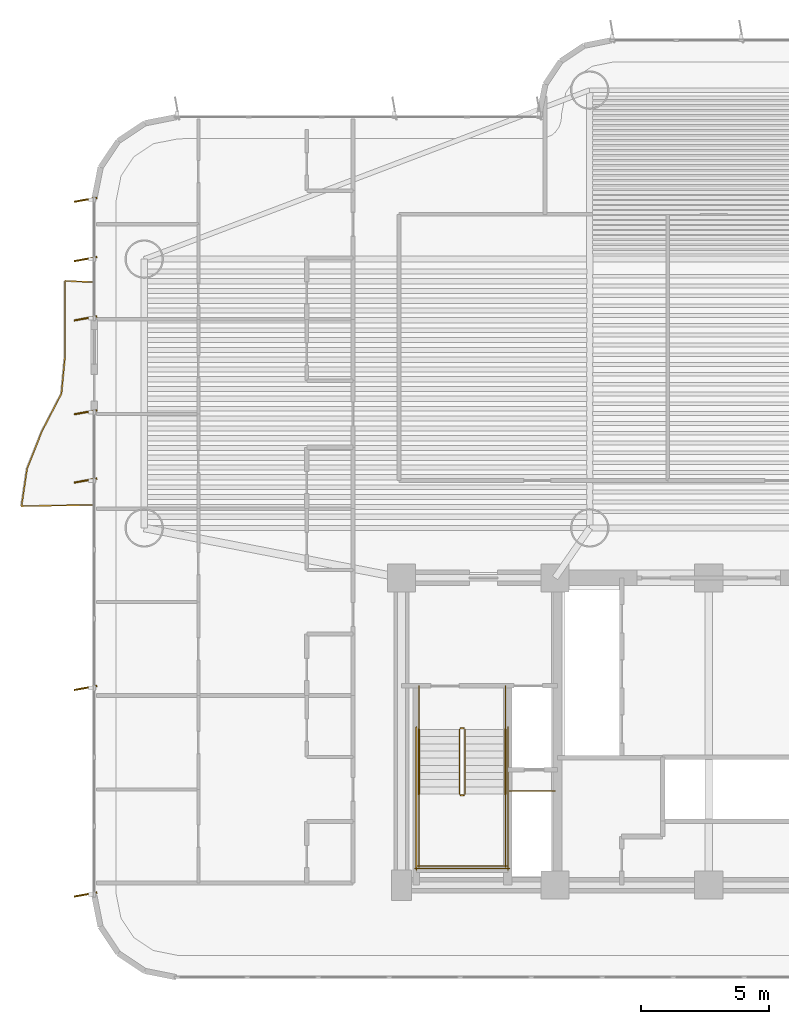
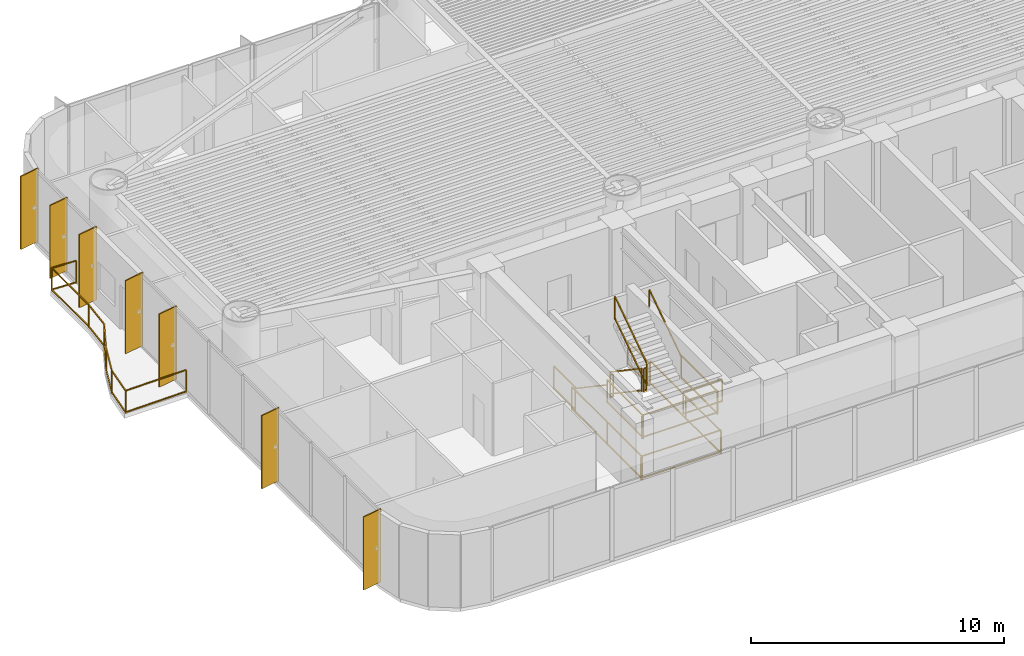
# One storey, part 16 of 19: 16 railings, 7 shading devices.
"""IFC4 building model written with IfcOpenShell, lengths in metres."""

from ifc_helpers import new_model, si_unit, direction, frame, origin, origin_2d, place, context, subcontext, project, spatial, rectangle, extrude, source, transform, mapped, material, layer, layer_set, material_profile, profile_set, type_object, element, save


model = new_model("IFC4")

# Units and contexts
model_context = context("Model", 3, precision=1e-05, world=origin(), true_north=direction((0.0, 1.0)))
body_context = subcontext(model_context, "Body", "Model", "MODEL_VIEW")
ifc_project = project(units=[si_unit("LENGTHUNIT", "METRE"), si_unit("AREAUNIT", "SQUARE_METRE"), si_unit("VOLUMEUNIT", "CUBIC_METRE"), si_unit("PLANEANGLEUNIT", "RADIAN"), si_unit("MASSUNIT", "GRAM", prefix="KILO")], contexts=[model_context])

# Site, building, storey
site_placement = place(None, origin())
site = spatial("IfcSite", under=ifc_project, at=site_placement, CompositionType="ELEMENT")
building_placement = place(site_placement, origin())
building = spatial("IfcBuilding", under=site, at=building_placement, Name="Brelvock Crest Care Tower", CompositionType="ELEMENT")
storey_placement = place(building_placement, frame((0.0, 0.0, 30.780029296875)))
storey = spatial("IfcBuildingStorey", under=building, at=storey_placement, Name="L07", CompositionType="ELEMENT", Elevation=30.780029296875)

# Railings
ifc_material_1 = material(Name="Dark Glass Double Glazed Low-E", Category="glass")
ifc_layer_1 = layer(ifc_material_1, 0.06005859375, Name="RL-BAL1")
ifc_layer_set_1 = layer_set([ifc_layer_1], Name="Dark Glass Double Glazed Low-E")
railing_type_1 = type_object("IfcRailingType", Name="RL-BAL1", PredefinedType="BALUSTRADE", material=ifc_layer_set_1)
railing_1_placement = place(storey_placement, frame((11.9599609375, 20.85009765625, 0.00390625)))
element("IfcRailing", 1, at=railing_1_placement, inside=storey, type_object=railing_type_1, Name="L07 Safety Balustrade WB-W", PredefinedType="BALUSTRADE", context=body_context, shape_type="SweptSolid", body=[
    extrude(rectangle(XDim=0.048095703125, YDim=0.048095703125, at=origin_2d()), frame((-0.001953125, 0.0, 1.09619140625), z_axis=(-0.999840293507, -0.017871415134, 0.0), x_axis=(0.017871415134, -0.999840293507, 0.0)), (0.0, 0.0, 1.0), 2.79638671875),
    extrude(rectangle(XDim=0.048095703125, YDim=0.048095703125, at=origin_2d()), frame((-0.001953125, 0.0, 0.054931640625), z_axis=(-0.999840293507, -0.017871415134, 0.0), x_axis=(0.017871415134, -0.999840293507, 0.0)), (0.0, 0.0, 1.0), 2.79638671875),
    extrude(rectangle(XDim=0.048095703125, YDim=0.048095703125, at=origin_2d()), frame((-2.7998046875, -0.048095703125, 1.09619140625), z_axis=(0.146882849114, 0.989153895325, 0.0), x_axis=(-0.989153895325, 0.146882849114, 0.0)), (0.0, 0.0, 1.0), 1.478515625),
    extrude(rectangle(XDim=0.048095703125, YDim=0.048095703125, at=origin_2d()), frame((-2.7998046875, -0.048095703125, 0.054931640625), z_axis=(0.146882849114, 0.989153895325, 0.0), x_axis=(-0.989153895325, 0.146882849114, 0.0)), (0.0, 0.0, 1.0), 1.478515625),
    extrude(rectangle(XDim=0.048095703125, YDim=0.048095703125, at=origin_2d()), frame((-2.58154296875, 1.41845703125, 1.09619140625), z_axis=(0.369496581543, 0.929232089539, 0.0), x_axis=(-0.929232089539, 0.369496581543, 0.0)), (0.0, 0.0, 1.0), 1.574462890625),
    extrude(rectangle(XDim=0.048095703125, YDim=0.048095703125, at=origin_2d()), frame((-2.58154296875, 1.41845703125, 0.054931640625), z_axis=(0.369496581543, 0.929232089539, 0.0), x_axis=(-0.929232089539, 0.369496581543, 0.0)), (0.0, 0.0, 1.0), 1.574462890625),
    extrude(rectangle(XDim=0.048095703125, YDim=0.048095703125, at=origin_2d()), frame((-1.998046875, 2.885009765625, 1.09619140625), z_axis=(0.460230882472, 0.887799264935, 0.0), x_axis=(-0.887799264935, 0.460230882472, 0.0)), (0.0, 0.0, 1.0), 1.64794921875),
    extrude(rectangle(XDim=0.048095703125, YDim=0.048095703125, at=origin_2d()), frame((-1.998046875, 2.885009765625, 0.054931640625), z_axis=(0.460230882472, 0.887799264935, 0.0), x_axis=(-0.887799264935, 0.460230882472, 0.0)), (0.0, 0.0, 1.0), 1.64794921875),
    extrude(rectangle(XDim=0.048095703125, YDim=0.048095703125, at=origin_2d()), frame((-1.238525390625, 4.351806640625, 1.09619140625), z_axis=(0.094285159279, 0.99554523189, 0.0), x_axis=(-0.99554523189, 0.094285159279, 0.0)), (0.0, 0.0, 1.0), 1.469482421875),
    extrude(rectangle(XDim=0.048095703125, YDim=0.048095703125, at=origin_2d()), frame((-1.238525390625, 4.351806640625, 0.054931640625), z_axis=(0.094285159279, 0.99554523189, 0.0), x_axis=(-0.99554523189, 0.094285159279, 0.0)), (0.0, 0.0, 1.0), 1.469482421875),
    extrude(rectangle(XDim=0.048095703125, YDim=0.048095703125, at=origin_2d()), frame((-1.099853515625, 5.818603515625, 1.09619140625), z_axis=(0.0, 1.0, 0.0), x_axis=(-1.0, 0.0, 0.0)), (0.0, 0.0, 1.0), 2.929443359375),
    extrude(rectangle(XDim=0.048095703125, YDim=0.048095703125, at=origin_2d()), frame((-1.099853515625, 5.818603515625, 0.054931640625), z_axis=(0.0, 1.0, 0.0), x_axis=(-1.0, 0.0, 0.0)), (0.0, 0.0, 1.0), 2.929443359375),
    extrude(rectangle(XDim=0.048095703125, YDim=0.048095703125, at=origin_2d()), frame((-1.097900390625, 8.75, 1.09619140625), z_axis=(0.998966252902, -0.045457953795, 0.0), x_axis=(0.045457953795, 0.998966252902, 0.0)), (0.0, 0.0, 1.0), 1.096923828125),
    extrude(rectangle(XDim=0.048095703125, YDim=0.048095703125, at=origin_2d()), frame((-1.097900390625, 8.75, 0.054931640625), z_axis=(0.998966252902, -0.045457953795, 0.0), x_axis=(0.045457953795, 0.998966252902, 0.0)), (0.0, 0.0, 1.0), 1.096923828125),
    extrude(rectangle(XDim=0.0419921875, YDim=0.0419921875, at=origin_2d()), origin(), (0.0, 0.0, 1.0), 1.070068359375),
    extrude(rectangle(XDim=0.0419921875, YDim=0.0419921875, at=origin_2d()), frame((-2.800048828125, -0.050048828125, 0.0)), (0.0, 0.0, 1.0), 1.070068359375),
    extrude(rectangle(XDim=0.0419921875, YDim=0.0419921875, at=origin_2d()), frame((-2.582275390625, 1.41650390625, 0.0)), (0.0, 0.0, 1.0), 1.070068359375),
    extrude(rectangle(XDim=0.0419921875, YDim=0.0419921875, at=origin_2d()), frame((-1.9990234375, 2.88330078125, 0.0)), (0.0, 0.0, 1.0), 1.070068359375),
    extrude(rectangle(XDim=0.0419921875, YDim=0.0419921875, at=origin_2d()), frame((-1.23876953125, 4.349853515625, 0.0)), (0.0, 0.0, 1.0), 1.070068359375),
    extrude(rectangle(XDim=0.0419921875, YDim=0.0419921875, at=origin_2d()), frame((-1.099853515625, 5.816650390625, 0.0)), (0.0, 0.0, 1.0), 1.070068359375),
    extrude(rectangle(XDim=0.0419921875, YDim=0.0419921875, at=origin_2d()), frame((-1.099853515625, 8.75, 0.0)), (0.0, 0.0, 1.0), 1.070068359375),
    extrude(rectangle(XDim=0.0419921875, YDim=0.0419921875, at=origin_2d()), frame((0.0, 8.699951171875, 0.0)), (0.0, 0.0, 1.0), 1.070068359375),
])
ifc_material_2 = material(Name="Steel Grade 350", Category="steel")
ifc_layer_2 = layer(ifc_material_2, 0.050048828125, Name="RL-STG1")
ifc_layer_set_2 = layer_set([ifc_layer_2], Name="Steel Grade 350")
railing_type_2 = type_object("IfcRailingType", Name="RL-STG1", PredefinedType="GUARDRAIL", material=ifc_layer_set_2)
railing_2_placement = place(storey_placement, frame((26.260009765625, 12.080078125, 0.18896484375)))
element("IfcRailing", 2, at=railing_2_placement, inside=storey, type_object=railing_type_2, Name="L07 ST-1 stair guard 1", PredefinedType="GUARDRAIL", context=body_context, shape_type="SweptSolid", body=[
    extrude(rectangle(XDim=0.048095703125, YDim=0.048095703125, at=origin_2d()), frame((0.0, -0.001708984375, 1.116943359375), z_axis=(0.0, -0.828861706735, 0.559453546873), x_axis=(1.0, 0.0, 0.0)), (0.0, 0.0, 1.0), 3.036376953125),
    extrude(rectangle(XDim=0.048095703125, YDim=0.048095703125, at=origin_2d()), frame((0.0, -0.001708984375, 0.05615234375), z_axis=(0.0, -0.828861706735, 0.559453546873), x_axis=(1.0, 0.0, 0.0)), (0.0, 0.0, 1.0), 3.036376953125),
    extrude(rectangle(XDim=0.0419921875, YDim=0.0419921875, at=origin_2d()), origin(), (0.0, 0.0, 1.0), 1.08984375),
    extrude(rectangle(XDim=0.0419921875, YDim=0.0419921875, at=origin_2d()), frame((0.0, -2.52001953125, 1.700927734375)), (0.0, 0.0, 1.0), 1.08984375),
])
railing_3_placement = place(storey_placement, frame((26.31005859375, 9.510009765625, 1.889892578125)))
element("IfcRailing", 3, at=railing_3_placement, inside=storey, type_object=railing_type_2, Name="L07 ST-1 stair guard 2", PredefinedType="GUARDRAIL", context=body_context, shape_type="SweptSolid", body=[
    extrude(rectangle(XDim=0.048095703125, YDim=0.048095703125, at=origin_2d()), frame((0.001953125, 0.0, 1.11572265625), z_axis=(1.0, 0.0, 0.0), x_axis=(0.0, 1.0, 0.0)), (0.0, 0.0, 1.0), 0.115966796875),
    extrude(rectangle(XDim=0.048095703125, YDim=0.048095703125, at=origin_2d()), frame((0.001953125, 0.0, 0.054931640625), z_axis=(1.0, 0.0, 0.0), x_axis=(0.0, 1.0, 0.0)), (0.0, 0.0, 1.0), 0.115966796875),
    extrude(rectangle(XDim=0.0419921875, YDim=0.0419921875, at=origin_2d()), origin(), (0.0, 0.0, 1.0), 1.08984375),
    extrude(rectangle(XDim=0.0419921875, YDim=0.0419921875, at=origin_2d()), frame((0.119873046875, 0.0, 0.0)), (0.0, 0.0, 1.0), 1.08984375),
])
for number, where, name in (
    (4, (24.679931640625, 9.56005859375, 1.889892578125), "L07 ST-1 stair guard 3"),
    (5, (28.06005859375, 9.56005859375, 1.889892578125), "L07 ST-1 stair guard 4"),
):
    element("IfcRailing", number, at=place(storey_placement, frame(where)), inside=storey, type_object=railing_type_2, Name=name, PredefinedType="GUARDRAIL", context=body_context, shape_type="SweptSolid", body=[
        extrude(rectangle(XDim=0.048095703125, YDim=0.048095703125, at=origin_2d()), frame((0.0, -0.001953125, 1.11572265625), z_axis=(0.0, -1.0, 0.0), x_axis=(1.0, 0.0, 0.0)), (0.0, 0.0, 1.0), 2.856201171875),
        extrude(rectangle(XDim=0.048095703125, YDim=0.048095703125, at=origin_2d()), frame((0.0, -0.001953125, 0.054931640625), z_axis=(0.0, -1.0, 0.0), x_axis=(1.0, 0.0, 0.0)), (0.0, 0.0, 1.0), 2.856201171875),
        extrude(rectangle(XDim=0.0419921875, YDim=0.0419921875, at=origin_2d()), origin(), (0.0, 0.0, 1.0), 1.08984375),
        extrude(rectangle(XDim=0.0419921875, YDim=0.0419921875, at=origin_2d()), frame((0.0, -2.860107421875, 0.0)), (0.0, 0.0, 1.0), 1.08984375),
    ])
railing_4_placement = place(storey_placement, frame((24.6298828125, 6.75, 1.889892578125)))
element("IfcRailing", 6, at=railing_4_placement, inside=storey, type_object=railing_type_2, Name="L07 ST-1 stair guard 5", PredefinedType="GUARDRAIL", context=body_context, shape_type="SweptSolid", body=[
    extrude(rectangle(XDim=0.048095703125, YDim=0.048095703125, at=origin_2d()), frame((0.001953125, 0.0, 1.11572265625), z_axis=(1.0, 0.0, 0.0), x_axis=(0.0, 1.0, 0.0)), (0.0, 0.0, 1.0), 3.476318359375),
    extrude(rectangle(XDim=0.048095703125, YDim=0.048095703125, at=origin_2d()), frame((0.001953125, 0.0, 0.054931640625), z_axis=(1.0, 0.0, 0.0), x_axis=(0.0, 1.0, 0.0)), (0.0, 0.0, 1.0), 3.476318359375),
    extrude(rectangle(XDim=0.0419921875, YDim=0.0419921875, at=origin_2d()), origin(), (0.0, 0.0, 1.0), 1.08984375),
    extrude(rectangle(XDim=0.0419921875, YDim=0.0419921875, at=origin_2d()), frame((3.480224609375, 0.0, 0.0)), (0.0, 0.0, 1.0), 1.08984375),
])
railing_5_placement = place(storey_placement, frame((26.47998046875, 9.56005859375, 2.078857421875)))
element("IfcRailing", 7, at=railing_5_placement, inside=storey, type_object=railing_type_2, Name="L07 ST-1 stair guard 6", PredefinedType="GUARDRAIL", context=body_context, shape_type="SweptSolid", body=[
    extrude(rectangle(XDim=0.048095703125, YDim=0.048095703125, at=origin_2d()), frame((0.0, 0.001708984375, 1.116943359375), z_axis=(0.0, 0.82882447046, 0.559508710537), x_axis=(-1.0, 0.0, 0.0)), (0.0, 0.0, 1.0), 3.036376953125),
    extrude(rectangle(XDim=0.048095703125, YDim=0.048095703125, at=origin_2d()), frame((0.0, 0.001708984375, 0.05615234375), z_axis=(0.0, 0.82882447046, 0.559508710537), x_axis=(-1.0, 0.0, 0.0)), (0.0, 0.0, 1.0), 3.036376953125),
    extrude(rectangle(XDim=0.0419921875, YDim=0.0419921875, at=origin_2d()), origin(), (0.0, 0.0, 1.0), 1.08984375),
    extrude(rectangle(XDim=0.0419921875, YDim=0.0419921875, at=origin_2d()), frame((0.0, 2.52001953125, 1.701171875)), (0.0, 0.0, 1.0), 1.08984375),
])
railing_6_placement = place(storey_placement, frame((26.31005859375, 12.1298828125, 0.0)))
element("IfcRailing", 8, at=railing_6_placement, inside=storey, type_object=railing_type_2, Name="L07 ST-1 stair guard 7", PredefinedType="GUARDRAIL", context=body_context, shape_type="SweptSolid", body=[
    extrude(rectangle(XDim=0.048095703125, YDim=0.048095703125, at=origin_2d()), frame((0.001953125, 0.0, 1.11572265625), z_axis=(1.0, 0.0, 0.0), x_axis=(0.0, 1.0, 0.0)), (0.0, 0.0, 1.0), 0.115966796875),
    extrude(rectangle(XDim=0.048095703125, YDim=0.048095703125, at=origin_2d()), frame((0.001953125, 0.0, 0.054931640625), z_axis=(1.0, 0.0, 0.0), x_axis=(0.0, 1.0, 0.0)), (0.0, 0.0, 1.0), 0.115966796875),
    extrude(rectangle(XDim=0.0419921875, YDim=0.0419921875, at=origin_2d()), origin(), (0.0, 0.0, 1.0), 1.08984375),
    extrude(rectangle(XDim=0.0419921875, YDim=0.0419921875, at=origin_2d()), frame((0.119873046875, 0.0, 0.0)), (0.0, 0.0, 1.0), 1.08984375),
])
for number, where, name in (
    (9, (24.679931640625, 13.780029296875, 0.0), "L07 ST-1 stair guard 8"),
    (10, (28.06005859375, 13.780029296875, 0.0), "L07 ST-1 stair guard 9"),
):
    element("IfcRailing", number, at=place(storey_placement, frame(where)), inside=storey, type_object=railing_type_2, Name=name, PredefinedType="GUARDRAIL", context=body_context, shape_type="SweptSolid", body=[
        extrude(rectangle(XDim=0.048095703125, YDim=0.048095703125, at=origin_2d()), frame((0.0, -0.001953125, 1.11572265625), z_axis=(0.0, -1.0, 0.0), x_axis=(1.0, 0.0, 0.0)), (0.0, 0.0, 1.0), 1.696044921875),
        extrude(rectangle(XDim=0.048095703125, YDim=0.048095703125, at=origin_2d()), frame((0.0, -0.001953125, 0.054931640625), z_axis=(0.0, -1.0, 0.0), x_axis=(1.0, 0.0, 0.0)), (0.0, 0.0, 1.0), 1.696044921875),
        extrude(rectangle(XDim=0.0419921875, YDim=0.0419921875, at=origin_2d()), origin(), (0.0, 0.0, 1.0), 1.08984375),
        extrude(rectangle(XDim=0.0419921875, YDim=0.0419921875, at=origin_2d()), frame((0.0, -1.699951171875, 0.0)), (0.0, 0.0, 1.0), 1.08984375),
    ])
for number, where, name in (
    (11, (24.580078125, 12.179931640625, 0.0), "L07 ST-1 stair guard 10"),
    (12, (28.159912109375, 12.179931640625, 0.0), "L07 ST-1 stair guard 11"),
):
    element("IfcRailing", number, at=place(storey_placement, frame(where)), inside=storey, type_object=railing_type_2, Name=name, PredefinedType="GUARDRAIL", context=body_context, shape_type="SweptSolid", body=[
        extrude(rectangle(XDim=0.048095703125, YDim=0.048095703125, at=origin_2d()), frame((0.0, -0.001953125, 1.11572265625), z_axis=(0.0, -1.0, 0.0), x_axis=(1.0, 0.0, 0.0)), (0.0, 0.0, 1.0), 5.575927734375),
        extrude(rectangle(XDim=0.048095703125, YDim=0.048095703125, at=origin_2d()), frame((0.0, -0.001953125, 0.054931640625), z_axis=(0.0, -1.0, 0.0), x_axis=(1.0, 0.0, 0.0)), (0.0, 0.0, 1.0), 5.575927734375),
        extrude(rectangle(XDim=0.0419921875, YDim=0.0419921875, at=origin_2d()), origin(), (0.0, 0.0, 1.0), 1.08984375),
        extrude(rectangle(XDim=0.0419921875, YDim=0.0419921875, at=origin_2d()), frame((0.0, -2.7900390625, 0.0)), (0.0, 0.0, 1.0), 1.08984375),
        extrude(rectangle(XDim=0.0419921875, YDim=0.0419921875, at=origin_2d()), frame((0.0, -5.579833984375, 0.0)), (0.0, 0.0, 1.0), 1.08984375),
    ])
railing_7_placement = place(storey_placement, frame((24.530029296875, 6.64990234375, 0.0)))
element("IfcRailing", 13, at=railing_7_placement, inside=storey, type_object=railing_type_2, Name="L07 ST-1 stair guard 12", PredefinedType="GUARDRAIL", context=body_context, shape_type="SweptSolid", body=[
    extrude(rectangle(XDim=0.048095703125, YDim=0.048095703125, at=origin_2d()), frame((0.001953125, 0.0, 1.11572265625), z_axis=(1.0, 0.0, 0.0), x_axis=(0.0, 1.0, 0.0)), (0.0, 0.0, 1.0), 3.676025390625),
    extrude(rectangle(XDim=0.048095703125, YDim=0.048095703125, at=origin_2d()), frame((0.001953125, 0.0, 0.054931640625), z_axis=(1.0, 0.0, 0.0), x_axis=(0.0, 1.0, 0.0)), (0.0, 0.0, 1.0), 3.676025390625),
    extrude(rectangle(XDim=0.0419921875, YDim=0.0419921875, at=origin_2d()), origin(), (0.0, 0.0, 1.0), 1.08984375),
    extrude(rectangle(XDim=0.0419921875, YDim=0.0419921875, at=origin_2d()), frame((3.679931640625, 0.0, 0.0)), (0.0, 0.0, 1.0), 1.08984375),
])
railing_8_placement = place(storey_placement, frame((28.219970703125, 9.679931640625, 0.0)))
element("IfcRailing", 14, at=railing_8_placement, inside=storey, type_object=railing_type_2, Name="L07 Fire Riser Threshold Guard", PredefinedType="GUARDRAIL", context=body_context, shape_type="SweptSolid", body=[
    extrude(rectangle(XDim=0.048095703125, YDim=0.048095703125, at=origin_2d()), frame((0.001953125, 0.0, 1.11572265625), z_axis=(1.0, 0.0, 0.0), x_axis=(0.0, 1.0, 0.0)), (0.0, 0.0, 1.0), 1.776123046875),
    extrude(rectangle(XDim=0.048095703125, YDim=0.048095703125, at=origin_2d()), frame((0.001953125, 0.0, 0.054931640625), z_axis=(1.0, 0.0, 0.0), x_axis=(0.0, 1.0, 0.0)), (0.0, 0.0, 1.0), 1.776123046875),
    extrude(rectangle(XDim=0.0419921875, YDim=0.0419921875, at=origin_2d()), origin(), (0.0, 0.0, 1.0), 1.08984375),
    extrude(rectangle(XDim=0.0419921875, YDim=0.0419921875, at=origin_2d()), frame((1.780029296875, 0.0, 0.0)), (0.0, 0.0, 1.0), 1.08984375),
])
ifc_layer_3 = layer(ifc_material_2, 0.048095703125, Name="RL-STH1")
ifc_layer_set_3 = layer_set([ifc_layer_3], Name="Steel Grade 350")
railing_type_3 = type_object("IfcRailingType", Name="RL-STH1", PredefinedType="HANDRAIL", material=ifc_layer_set_3)
railing_9_placement = place(storey_placement, frame((24.679931640625, 12.080078125, 0.18896484375)))
element("IfcRailing", 15, at=railing_9_placement, inside=storey, type_object=railing_type_3, Name="L07 ST-1 stair handrail 1", PredefinedType="HANDRAIL", context=body_context, shape_type="SweptSolid", body=[
    extrude(rectangle(XDim=0.048095703125, YDim=0.048095703125, at=origin_2d()), frame((0.0, -0.001708984375, 0.876953125), z_axis=(0.0, -0.828861706735, 0.559453546873), x_axis=(1.0, 0.0, 0.0)), (0.0, 0.0, 1.0), 3.036376953125),
    extrude(rectangle(XDim=0.0419921875, YDim=0.0419921875, at=origin_2d()), origin(), (0.0, 0.0, 1.0), 0.849853515625),
    extrude(rectangle(XDim=0.0419921875, YDim=0.0419921875, at=origin_2d()), frame((0.0, -2.52001953125, 1.700927734375)), (0.0, 0.0, 1.0), 0.849853515625),
])
railing_10_placement = place(storey_placement, frame((28.06005859375, 9.56005859375, 2.078857421875)))
element("IfcRailing", 16, at=railing_10_placement, inside=storey, type_object=railing_type_3, Name="L07 ST-1 stair handrail 2", PredefinedType="HANDRAIL", context=body_context, shape_type="SweptSolid", body=[
    extrude(rectangle(XDim=0.048095703125, YDim=0.048095703125, at=origin_2d()), frame((0.0, 0.001708984375, 0.876953125), z_axis=(0.0, 0.82882447046, 0.559508710537), x_axis=(-1.0, 0.0, 0.0)), (0.0, 0.0, 1.0), 3.036376953125),
    extrude(rectangle(XDim=0.0419921875, YDim=0.0419921875, at=origin_2d()), origin(), (0.0, 0.0, 1.0), 0.849853515625),
    extrude(rectangle(XDim=0.0419921875, YDim=0.0419921875, at=origin_2d()), frame((0.0, 2.52001953125, 1.701171875)), (0.0, 0.0, 1.0), 0.849853515625),
])

# Shading devices
ifc_material_3 = material(Name="Aluminium 6063-T6", Category="aluminium")
ifc_material_profile = material_profile(ifc_material_3, rectangle(XDim=0.054931640625, YDim=0.89990234375, at=origin_2d()), Name="FIN55x900")
ifc_profile_set = profile_set([ifc_material_profile], Name="Aluminium 6063-T6")
shading_device_type = type_object("IfcShadingDeviceType", Name="SHD-FIN1", PredefinedType="USERDEFINED", material=ifc_profile_set)
shared_shape = source(origin(), body_context, "Body", "SweptSolid", [
    extrude(rectangle(XDim=0.054931640625, YDim=0.89990234375, at=origin_2d()), origin(), (0.0, 0.0, 1.0), 3.530029296875),
])
for number, where, z_axis, x_axis, name in (
    (17, (11.659912109375, 5.632568359375, 0.0), (0.0, 0.0, 1.0), (-0.173648177667, 0.984807753012, 0.0), "L07 Vertical Sunshade Fin E13A-01"),
    (18, (11.659912109375, 13.699951171875, 0.0), (0.0, 0.0, 1.0), (-0.173648177667, 0.984807753012, 0.0), "L07 Vertical Sunshade Fin E13A-04"),
    (19, (11.659912109375, 21.800048828125, 0.0), (0.0, 0.0, 1.0), (-0.173648177667, 0.984807753012, 0.0), "L07 Vertical Sunshade Fin E13A-07"),
    (20, (11.659912109375, 24.467529296875, 0.0), (0.0, 0.0, 1.0), (-0.173648177667, 0.984807753012, 0.0), "L07 Vertical Sunshade Fin E13A-08"),
    (21, (11.659912109375, 28.132568359375, 0.0), (0.0, 0.0, 1.0), (-0.173648177667, 0.984807753012, 0.0), "L07 Vertical Sunshade Fin E13B-01"),
    (22, (11.659912109375, 30.449951171875, 0.0), (0.0, 0.0, 1.0), (-0.173648177667, 0.984807753012, 0.0), "L07 Vertical Sunshade Fin E13B-02"),
    (23, (11.659912109375, 32.767578125, 0.0), (0.0, 0.0, 1.0), (-0.173648177667, 0.984807753012, 0.0), "L07 Vertical Sunshade Fin E13B-03"),
):
    element("IfcShadingDevice", number, at=place(storey_placement, frame(where, z_axis=z_axis, x_axis=x_axis)), inside=storey, type_object=shading_device_type, Name=name, ObjectType="FIN", PredefinedType="USERDEFINED", context=body_context, shape_type="MappedRepresentation", body=[
        mapped(shared_shape, transform((0.0, 0.0, 0.0), x_axis=(1.0, 0.0, 0.0), y_axis=(0.0, 1.0, 0.0), z_axis=(0.0, 0.0, 1.0), scale=1.0)),
    ])

save(model, "model.ifc")
